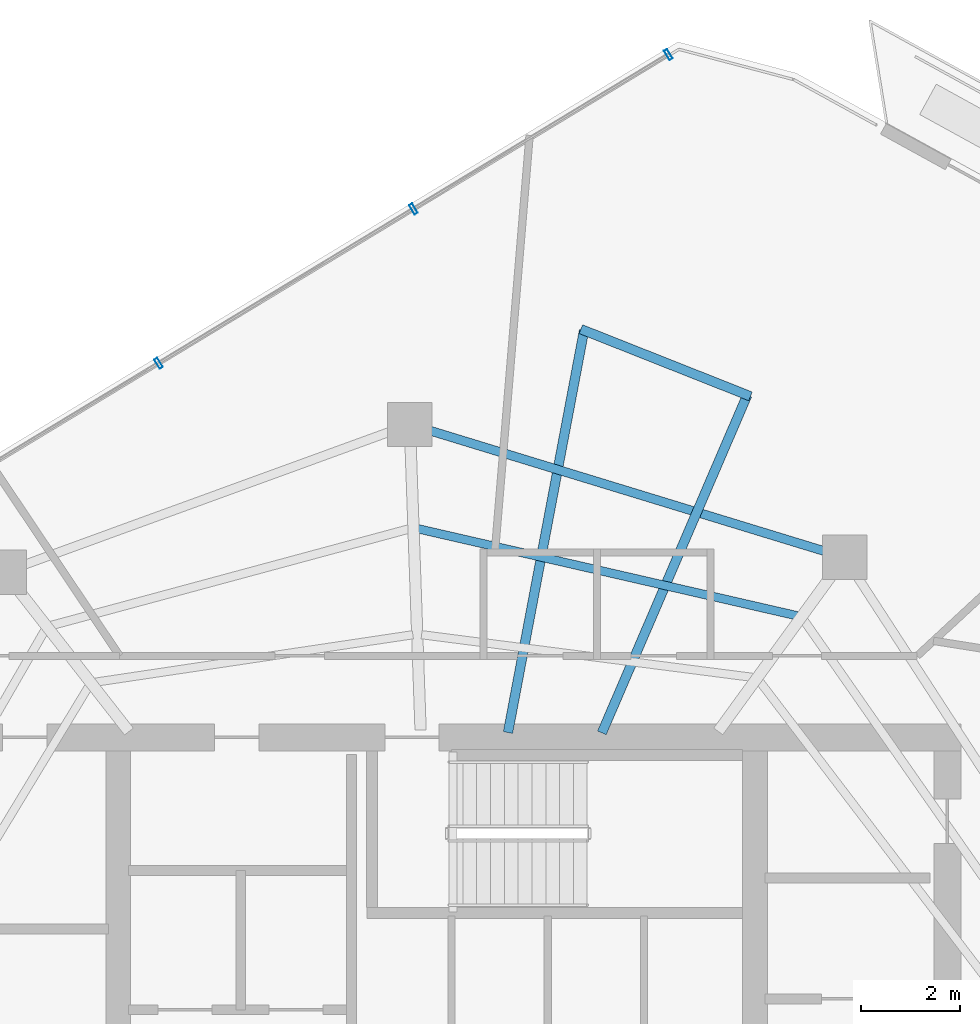
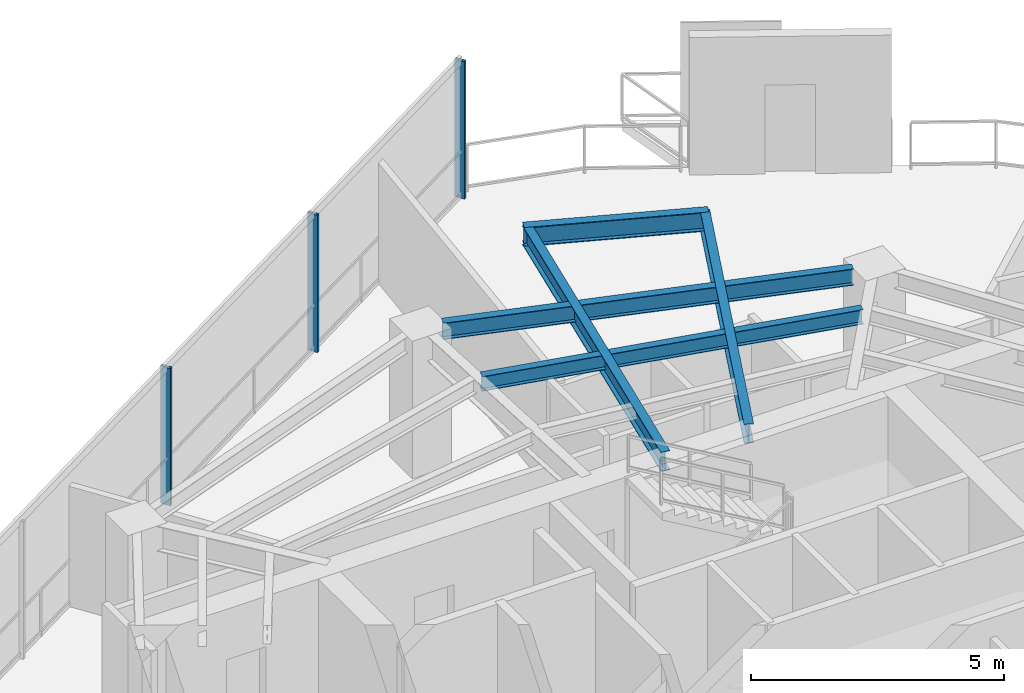
# One storey, part 12 of 19: 5 beams, 3 members, 1 element without a shape of its own.
"""IFC4 building model written with IfcOpenShell, lengths in metres."""

import ifcopenshell
import ifcopenshell.guid

model = None  # the IFC model being written
_history = None  # IfcOwnerHistory: only IFC2X3 demands one
_inside = {}  # id of a spatial element -> (the spatial element, [elements in it])
_under = {}  # id of a project, library or spatial element -> (it, [spatial elements below it])
_declared = {}  # id of a project -> (the project, [libraries it declares])
_typed = {}  # id of a type object -> (the type object, [elements of that type])
_made_of = {}  # id of a material, layer set ... -> (it, [elements and type objects made of it])


def new_model(schema):
    """Start an empty IFC model of exactly this schema.

    Asked for "IFC4X3", IfcOpenShell would pick the latest addendum, in which some entities
    have other attributes; the version numbers below select the first issue.
    IFC2X3 requires an IfcOwnerHistory on every rooted entity: one is made here for all.
    """
    global model, _history
    if schema == "IFC4X3":
        model = ifcopenshell.file(schema_version=(4, 3, 0, 0))
    else:
        model = ifcopenshell.file(schema=schema)
    _inside.clear()
    _under.clear()
    _declared.clear()
    _typed.clear()
    _made_of.clear()
    _history = None
    if model.schema == "IFC2X3":
        org = make("IfcOrganization", Name="unknown")
        user = make(
            "IfcPersonAndOrganization",
            ThePerson=make("IfcPerson", FamilyName="unknown"),
            TheOrganization=org,
        )
        app = make(
            "IfcApplication",
            ApplicationDeveloper=org,
            Version="unknown",
            ApplicationFullName="unknown",
            ApplicationIdentifier="unknown",
        )
        _history = make(
            "IfcOwnerHistory",
            OwningUser=user,
            OwningApplication=app,
            ChangeAction="ADDED",
            CreationDate=0,
        )
    return model


def make(cls, **values):
    """One entity of the class cls with the attributes given. An attribute that is None is left unset."""
    return model.create_entity(
        cls, **{name: value for name, value in values.items() if value is not None}
    )


def rooted(cls, **values):
    """An entity with a GlobalId (a new one), such as an element, a storey or a relation."""
    return make(cls, GlobalId=ifcopenshell.guid.new(), OwnerHistory=_history, **values)


def si_unit(unit_type, name, prefix=None):
    """IfcSIUnit, for example si_unit("LENGTHUNIT", "METRE", prefix="MILLI")."""
    return make("IfcSIUnit", UnitType=unit_type, Prefix=prefix, Name=name)


def assignment(units):
    """IfcUnitAssignment: the units of a project."""
    return None if units is None else make("IfcUnitAssignment", Units=units)


def point(xyz):
    """IfcCartesianPoint."""
    return None if xyz is None else make("IfcCartesianPoint", Coordinates=xyz)


def direction(xyz):
    """IfcDirection."""
    return None if xyz is None else make("IfcDirection", DirectionRatios=xyz)


def frame(location, z_axis=None, x_axis=None):
    """IfcAxis2Placement3D, a coordinate frame: its origin and axes. An axis left out is left unset."""
    return make(
        "IfcAxis2Placement3D",
        Location=point(location),
        Axis=direction(z_axis),
        RefDirection=direction(x_axis),
    )


def frame_2d(location, x_axis=None):
    """IfcAxis2Placement2D, a coordinate frame in the plane: its origin and x axis."""
    return make(
        "IfcAxis2Placement2D", Location=point(location), RefDirection=direction(x_axis)
    )


def origin():
    """The frame at (0, 0, 0) with its axes left unset."""
    return frame((0.0, 0.0, 0.0))


def origin_2d():
    """The frame at (0, 0) in the plane with its x axis left unset."""
    return frame_2d((0.0, 0.0))


def place(relative_to, where):
    """IfcLocalPlacement: puts the frame where relative to a parent placement (None: the world)."""
    return make(
        "IfcLocalPlacement", PlacementRelTo=relative_to, RelativePlacement=where
    )


def context(
    kind, dimensions, precision=None, world=None, true_north=None, identifier=None
):
    """IfcGeometricRepresentationContext, for example the 3D "Model" context."""
    return make(
        "IfcGeometricRepresentationContext",
        ContextIdentifier=identifier,
        ContextType=kind,
        CoordinateSpaceDimension=dimensions,
        Precision=precision,
        WorldCoordinateSystem=world,
        TrueNorth=true_north,
    )


def subcontext(parent, identifier, kind, view, scale=None):
    """IfcGeometricRepresentationSubContext, for example "Body" below "Model"."""
    return make(
        "IfcGeometricRepresentationSubContext",
        ContextIdentifier=identifier,
        ContextType=kind,
        ParentContext=parent,
        TargetScale=scale,
        TargetView=view,
    )


def project(units=None, contexts=None):
    """IfcProject with its units and contexts."""
    return rooted(
        "IfcProject",
        Name="project",
        RepresentationContexts=contexts,
        UnitsInContext=assignment(units),
    )


def spatial(cls, under=None, at=None, **own):
    """A site, building, storey or space (cls), placed at a placement, below another one or the project."""
    s = rooted(cls, ObjectPlacement=at, **own)
    if under is not None:
        _under.setdefault(under.id(), (under, []))[1].append(s)
    return s


def profile(cls, at=None, kind="AREA", **sizes):
    """A parametric profile (cls). Its sizes go by their IFC names, for example OverallWidth=200.0."""
    return make(cls, ProfileType=kind, Position=at, **sizes)


def hollow_rectangle(**sizes):
    """IfcRectangleHollowProfileDef."""
    return profile("IfcRectangleHollowProfileDef", **sizes)


def i_section(**sizes):
    """IfcIShapeProfileDef."""
    return profile("IfcIShapeProfileDef", **sizes)


def extrude(swept, where, along, depth):
    """IfcExtrudedAreaSolid: the profile swept, set in the frame where, extruded along a direction by depth."""
    return make(
        "IfcExtrudedAreaSolid",
        SweptArea=swept,
        Position=where,
        ExtrudedDirection=direction(along),
        Depth=depth,
    )


def shape(context_of_items, identifier, shape_type, items):
    """IfcShapeRepresentation: the items that make up one representation, for example the "Body"."""
    return make(
        "IfcShapeRepresentation",
        ContextOfItems=context_of_items,
        RepresentationIdentifier=identifier,
        RepresentationType=shape_type,
        Items=items,
    )


def material(Name=None, Category=None):
    """IfcMaterial."""
    return make("IfcMaterial", Name=Name, Category=Category)


def layer(
    of_material, thickness, ventilated=None, Name=None, Category=None, Priority=None
):
    """IfcMaterialLayer: one layer of a wall or slab, of a material (None: an air gap)."""
    return make(
        "IfcMaterialLayer",
        Material=of_material,
        LayerThickness=thickness,
        IsVentilated=ventilated,
        Name=Name,
        Category=Category,
        Priority=Priority,
    )


def layer_set(layers, Name=None):
    """IfcMaterialLayerSet."""
    return make("IfcMaterialLayerSet", MaterialLayers=layers, LayerSetName=Name)


def material_profile(
    of_material, cross_section, Name=None, Category=None, Priority=None
):
    """IfcMaterialProfile: a cross section and its material."""
    return make(
        "IfcMaterialProfile",
        Name=Name,
        Material=of_material,
        Profile=cross_section,
        Priority=Priority,
        Category=Category,
    )


def profile_set(profiles, Name=None, composite=None):
    """IfcMaterialProfileSet."""
    return make(
        "IfcMaterialProfileSet",
        Name=Name,
        MaterialProfiles=profiles,
        CompositeProfile=composite,
    )


def made_of(thing, what):
    """Note that an element or type object is made of a material, layer set ...; save() writes the relation."""
    if what is not None:
        _made_of.setdefault(what.id(), (what, []))[1].append(thing)
    return thing


def type_object(cls, material=None, **own):
    """A type object (cls), such as IfcWallType, which elements share."""
    return made_of(rooted(cls, **own), material)


def element(
    cls,
    number,
    at=None,
    inside=None,
    cuts=None,
    type_object=None,
    material=None,
    context=None,
    identifier="Body",
    shape_type=None,
    held_by="IfcProductDefinitionShape",
    body=None,
    shapes=None,
    **own,
):
    """One element of the class cls, such as IfcWall. Its Tag is "e" and its number.

    at: its placement. inside: the storey or other place that contains it. cuts: it is an
    opening in that element (IfcRelVoidsElement). A single representation is given by context,
    identifier, shape_type and body (its items); several are given by shapes. held_by: the class
    of the entity that holds the representations. save() writes the other relations.
    """
    e = rooted(cls, Tag="e%d" % number, ObjectPlacement=at, **own)
    if body is not None:
        shapes = [shape(context, identifier, shape_type, body)]
    if shapes is not None:
        e.Representation = make(held_by, Representations=shapes)
    if inside is not None:
        _inside.setdefault(inside.id(), (inside, []))[1].append(e)
    if cuts is not None:
        rooted(
            "IfcRelVoidsElement", RelatingBuildingElement=cuts, RelatedOpeningElement=e
        )
    if type_object is not None:
        _typed.setdefault(type_object.id(), (type_object, []))[1].append(e)
    return made_of(e, material)


def aggregate(whole, parts):
    """IfcRelAggregates: a whole, such as a stair, and the parts it consists of."""
    return rooted("IfcRelAggregates", RelatingObject=whole, RelatedObjects=parts)


def save(model, path):
    """Write the relations noted so far, then the file.

    IfcRelAggregates (storeys below a building ...), IfcRelContainedInSpatialStructure (elements
    in a storey), IfcRelDefinesByType, IfcRelAssociatesMaterial and IfcRelDeclares: one each for
    every whole, place, type object, material and project.
    """
    for whole, parts in _under.values():
        aggregate(whole, parts)
    for where, things in _inside.values():
        rooted(
            "IfcRelContainedInSpatialStructure",
            RelatedElements=things,
            RelatingStructure=where,
        )
    for kind, things in _typed.values():
        rooted("IfcRelDefinesByType", RelatedObjects=things, RelatingType=kind)
    for what, things in _made_of.values():
        rooted("IfcRelAssociatesMaterial", RelatedObjects=things, RelatingMaterial=what)
    for by, libraries in _declared.values():
        rooted("IfcRelDeclares", RelatingContext=by, RelatedDefinitions=libraries)
    model.write(path)


model = new_model("IFC4")

# Units and contexts
model_context = context("Model", 3, precision=1e-05, world=origin(), true_north=direction((0.0, 1.0)))
body_context = subcontext(model_context, "Body", "Model", "MODEL_VIEW")
ifc_project = project(units=[si_unit("LENGTHUNIT", "METRE"), si_unit("AREAUNIT", "SQUARE_METRE"), si_unit("VOLUMEUNIT", "CUBIC_METRE"), si_unit("PLANEANGLEUNIT", "RADIAN"), si_unit("MASSUNIT", "GRAM", prefix="KILO")], contexts=[model_context])

# Site, building, storey
site_placement = place(None, origin())
site = spatial("IfcSite", under=ifc_project, at=site_placement, CompositionType="ELEMENT")
building_placement = place(site_placement, origin())
building = spatial("IfcBuilding", under=site, at=building_placement, Name="Qarnah Convention Tower", CompositionType="ELEMENT")
storey_placement = place(building_placement, frame((0.0, 0.0, 184.199951171875)))
storey = spatial("IfcBuildingStorey", under=building, at=storey_placement, Name="L49", CompositionType="ELEMENT", Elevation=184.199951171875)

# Beams
ifc_material_1 = material(Name="Structural steel S355JR", Category="steel")
ifc_material_profile_1 = material_profile(ifc_material_1, i_section(OverallWidth=0.19189453125, OverallDepth=0.464111328125, WebThickness=0.010986328125, FlangeThickness=0.01806640625, at=origin_2d()), Name="W460X89")
ifc_profile_set_1 = profile_set([ifc_material_profile_1], Name="Structural steel S355JR")
beam_type_1 = type_object("IfcBeamType", Name="BM-CANT-W460A", PredefinedType="BEAM", material=ifc_profile_set_1)
beam_1_placement = place(storey_placement, frame((40.596923828125, 34.2919921875, 3.088134765625), z_axis=(0.395334358974, 0.91853728537, 0.0), x_axis=(-0.91853728537, 0.395334358974, 0.0)))
element("IfcBeam", 1, at=beam_1_placement, inside=storey, type_object=beam_type_1, Name="L49 beam BM-L49-CNT-01-1", PredefinedType="BEAM", context=body_context, shape_type="SweptSolid", body=[
    extrude(i_section(OverallWidth=0.19189453125, OverallDepth=0.464111328125, WebThickness=0.010986328125, FlangeThickness=0.01806640625, at=origin_2d()), origin(), (0.0, 0.0, 1.0), 7.4521484375),
])
beam_2_placement = place(storey_placement, frame((38.694091796875, 34.298095703125, 3.088134765625), z_axis=(0.185927001241, 0.982563560392, 0.0), x_axis=(-0.982563560392, 0.185927001241, 0.0)))
element("IfcBeam", 2, at=beam_2_placement, inside=storey, type_object=beam_type_1, Name="L49 beam BM-L49-CNT-01-2", PredefinedType="BEAM", context=body_context, shape_type="SweptSolid", body=[
    extrude(i_section(OverallWidth=0.19189453125, OverallDepth=0.464111328125, WebThickness=0.010986328125, FlangeThickness=0.01806640625, at=origin_2d()), origin(), (0.0, 0.0, 1.0), 8.29345703125),
])
beam_3_placement = place(storey_placement, frame((43.60791015625, 41.111083984375, 3.088134765625), z_axis=(-0.929683207284, 0.368360060394, 0.0), x_axis=(-0.368360060394, -0.929683207284, 0.0)))
element("IfcBeam", 3, at=beam_3_placement, inside=storey, type_object=beam_type_1, Name="L49 spandrel BM-L49-CTIE-01", PredefinedType="SPANDREL", context=body_context, shape_type="SweptSolid", body=[
    extrude(i_section(OverallWidth=0.19189453125, OverallDepth=0.464111328125, WebThickness=0.010986328125, FlangeThickness=0.01806640625, at=origin_2d()), origin(), (0.0, 0.0, 1.0), 3.697021484375),
])
ifc_material_profile_2 = material_profile(ifc_material_1, i_section(OverallWidth=0.172119140625, OverallDepth=0.35595703125, WebThickness=0.007080078125, FlangeThickness=0.011962890625, at=origin_2d()), Name="W360X51")
ifc_profile_set_2 = profile_set([ifc_material_profile_2], Name="Structural steel S355JR")
beam_type_2 = type_object("IfcBeamType", Name="BM-JST-W360", PredefinedType="JOIST", material=ifc_profile_set_2)
beam_4_placement = place(storey_placement, frame((44.553955078125, 36.6640625, 3.14208984375), z_axis=(-0.974668529412, 0.223654326526, 0.0), x_axis=(-0.223654326526, -0.974668529412, 0.0)))
element("IfcBeam", 4, at=beam_4_placement, inside=storey, type_object=beam_type_2, Name="L49 joist BM-L49-SJST-02", PredefinedType="JOIST", context=body_context, shape_type="SweptSolid", body=[
    extrude(i_section(OverallWidth=0.172119140625, OverallDepth=0.35595703125, WebThickness=0.007080078125, FlangeThickness=0.011962890625, at=origin_2d()), origin(), (0.0, 0.0, 1.0), 7.88671875),
])
ifc_material_profile_3 = material_profile(ifc_material_1, i_section(OverallWidth=0.179931640625, OverallDepth=0.39990234375, WebThickness=0.009033203125, FlangeThickness=0.013916015625, at=origin_2d()), Name="IPE400")
ifc_profile_set_3 = profile_set([ifc_material_profile_3], Name="Structural steel S355JR")
beam_type_3 = type_object("IfcBeamType", Name="BM-SPN-IPE400", PredefinedType="SPANDREL", material=ifc_profile_set_3)
beam_5_placement = place(storey_placement, frame((45.095947265625, 37.97705078125, 3.1201171875), z_axis=(-0.956348614223, 0.292228212318, 0.0), x_axis=(-0.292228212318, -0.956348614223, 0.0)))
element("IfcBeam", 5, at=beam_5_placement, inside=storey, type_object=beam_type_3, Name="L49 spandrel BM-L49-SPN-02", PredefinedType="SPANDREL", context=body_context, shape_type="SweptSolid", body=[
    extrude(i_section(OverallWidth=0.179931640625, OverallDepth=0.39990234375, WebThickness=0.009033203125, FlangeThickness=0.013916015625, at=origin_2d()), origin(), (0.0, 0.0, 1.0), 8.332763671875),
])

# Curtain wall, members
ifc_material_2 = material(Name="Tempered Low-E dark glass", Category="glass")
ifc_layer = layer(ifc_material_2, 0.174072265625)
ifc_layer_set = layer_set([ifc_layer], Name="Tempered Low-E dark glass")
curtain_wall_type = type_object("IfcCurtainWallType", Name="CWS-04", PredefinedType="NOTDEFINED", material=ifc_layer_set)
curtain_wall_placement = place(storey_placement, origin())
curtain_wall = element("IfcCurtainWall", 6, at=curtain_wall_placement, inside=storey, type_object=curtain_wall_type, Name="L49 unitised curtain wall CW-L49-F2", PredefinedType="NOTDEFINED")
ifc_material_3 = material(Name="Black anodised aluminium", Category="aluminium")
ifc_material_profile_4 = material_profile(ifc_material_3, hollow_rectangle(XDim=0.074951171875, YDim=0.219970703125, WallThickness=0.0048828125, at=origin_2d()), Name="MUL-75X220")
ifc_profile_set_4 = profile_set([ifc_material_profile_4], Name="Black anodised aluminium")
member_type = type_object("IfcMemberType", Name="MUL-T4", PredefinedType="MULLION", material=ifc_profile_set_4)
member_1_placement = place(storey_placement, frame((31.6142578125, 41.78125, 0.0), z_axis=(0.0, 0.0, 1.0), x_axis=(0.855384204583, 0.517994075786, 0.0)))
member_1 = element("IfcMember", 7, at=member_1_placement, type_object=member_type, Name="CW-L49-F2 mullion 4", PredefinedType="MULLION", context=body_context, shape_type="SweptSolid", body=[
    extrude(hollow_rectangle(XDim=0.074951171875, YDim=0.219970703125, WallThickness=0.0048828125, at=origin_2d()), origin(), (0.0, 0.0, 1.0), 3.320068359375),
])
member_2_placement = place(storey_placement, frame((36.778564453125, 44.90869140625, 0.0), z_axis=(0.0, 0.0, 1.0), x_axis=(0.855384204583, 0.517994075786, 0.0)))
member_2 = element("IfcMember", 8, at=member_2_placement, type_object=member_type, Name="CW-L49-F2 mullion 5", PredefinedType="MULLION", context=body_context, shape_type="SweptSolid", body=[
    extrude(hollow_rectangle(XDim=0.074951171875, YDim=0.219970703125, WallThickness=0.0048828125, at=origin_2d()), origin(), (0.0, 0.0, 1.0), 3.320068359375),
])
member_3_placement = place(storey_placement, frame((41.943115234375, 48.035888671875, 0.0), z_axis=(0.0, 0.0, 1.0), x_axis=(0.855384204583, 0.517994075786, 0.0)))
member_3 = element("IfcMember", 9, at=member_3_placement, type_object=member_type, Name="CW-L49-F2 mullion 6", PredefinedType="MULLION", context=body_context, shape_type="SweptSolid", body=[
    extrude(hollow_rectangle(XDim=0.074951171875, YDim=0.219970703125, WallThickness=0.0048828125, at=origin_2d()), origin(), (0.0, 0.0, 1.0), 3.320068359375),
])
aggregate(curtain_wall, [member_1, member_2, member_3])

save(model, "model.ifc")
